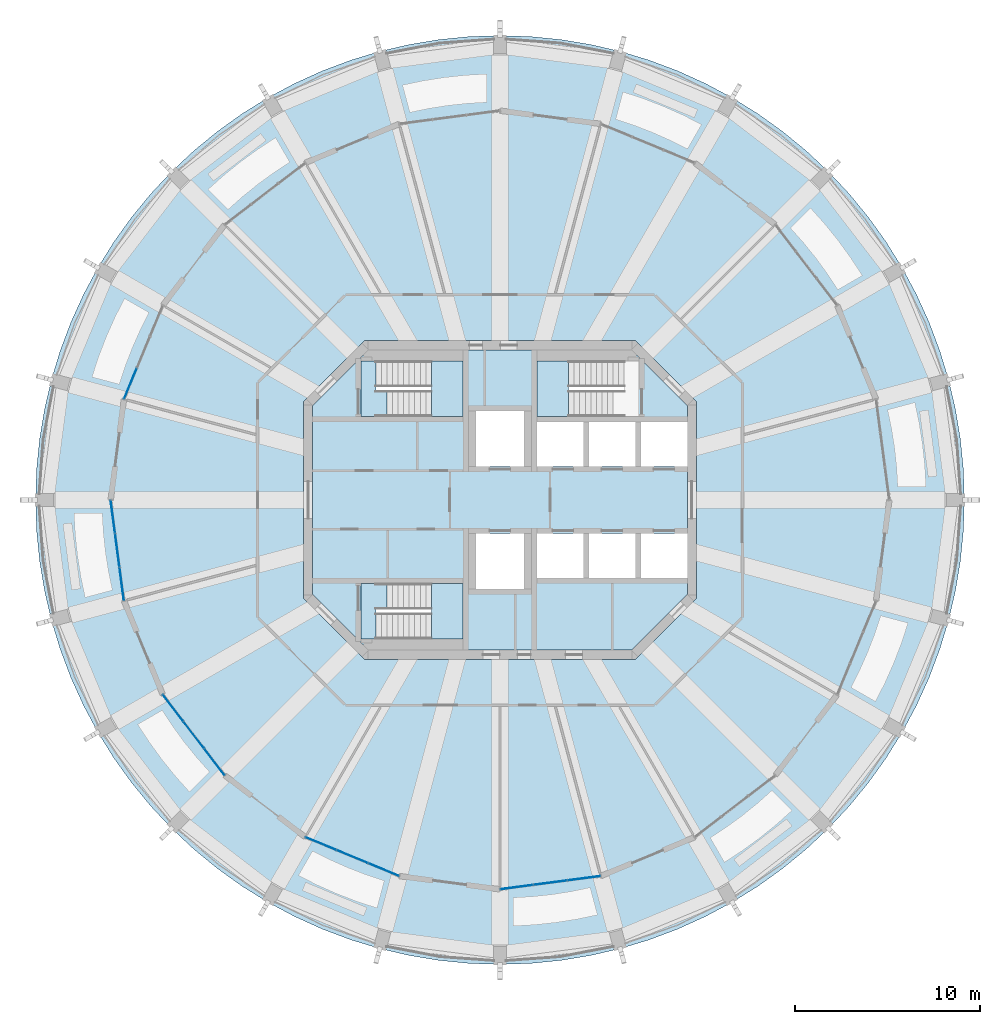
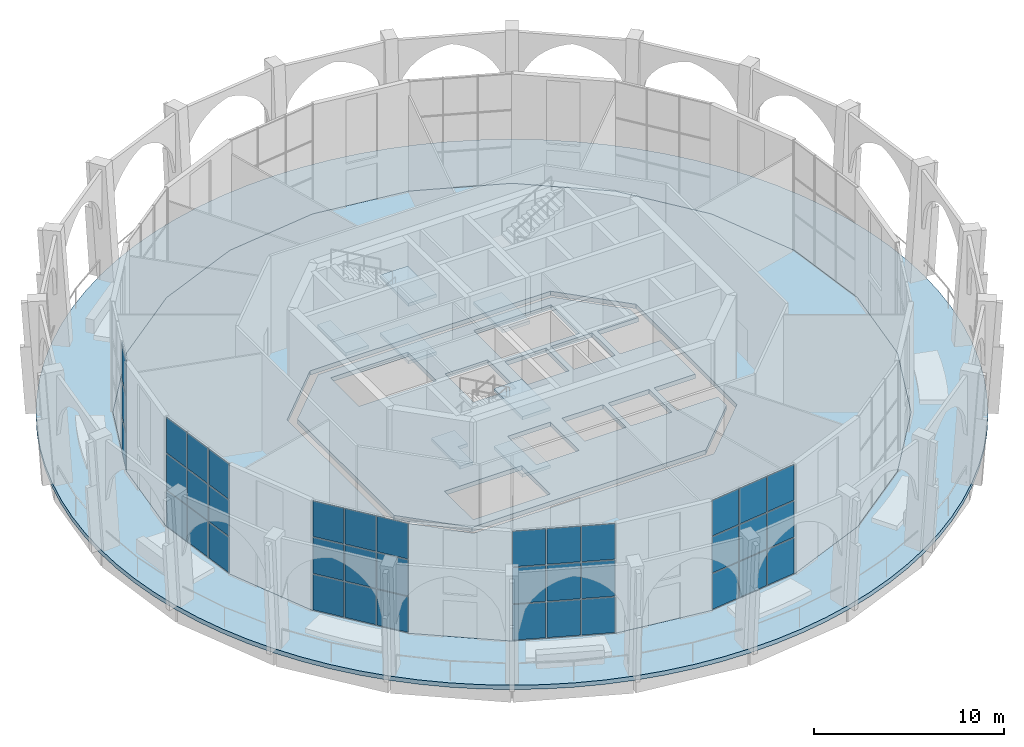
# One storey, part 8 of 17: 39 plates, 10 slabs, 8 elements without a shape of their own.
"""IFC4 building model written with IfcOpenShell, lengths in metres."""

import ifcopenshell
import ifcopenshell.guid

model = None  # the IFC model being written
_history = None  # IfcOwnerHistory: only IFC2X3 demands one
_inside = {}  # id of a spatial element -> (the spatial element, [elements in it])
_under = {}  # id of a project, library or spatial element -> (it, [spatial elements below it])
_declared = {}  # id of a project -> (the project, [libraries it declares])
_typed = {}  # id of a type object -> (the type object, [elements of that type])
_made_of = {}  # id of a material, layer set ... -> (it, [elements and type objects made of it])


def new_model(schema):
    """Start an empty IFC model of exactly this schema.

    Asked for "IFC4X3", IfcOpenShell would pick the latest addendum, in which some entities
    have other attributes; the version numbers below select the first issue.
    IFC2X3 requires an IfcOwnerHistory on every rooted entity: one is made here for all.
    """
    global model, _history
    if schema == "IFC4X3":
        model = ifcopenshell.file(schema_version=(4, 3, 0, 0))
    else:
        model = ifcopenshell.file(schema=schema)
    _inside.clear()
    _under.clear()
    _declared.clear()
    _typed.clear()
    _made_of.clear()
    _history = None
    if model.schema == "IFC2X3":
        org = make("IfcOrganization", Name="unknown")
        user = make(
            "IfcPersonAndOrganization",
            ThePerson=make("IfcPerson", FamilyName="unknown"),
            TheOrganization=org,
        )
        app = make(
            "IfcApplication",
            ApplicationDeveloper=org,
            Version="unknown",
            ApplicationFullName="unknown",
            ApplicationIdentifier="unknown",
        )
        _history = make(
            "IfcOwnerHistory",
            OwningUser=user,
            OwningApplication=app,
            ChangeAction="ADDED",
            CreationDate=0,
        )
    return model


def make(cls, **values):
    """One entity of the class cls with the attributes given. An attribute that is None is left unset."""
    return model.create_entity(
        cls, **{name: value for name, value in values.items() if value is not None}
    )


def rooted(cls, **values):
    """An entity with a GlobalId (a new one), such as an element, a storey or a relation."""
    return make(cls, GlobalId=ifcopenshell.guid.new(), OwnerHistory=_history, **values)


def si_unit(unit_type, name, prefix=None):
    """IfcSIUnit, for example si_unit("LENGTHUNIT", "METRE", prefix="MILLI")."""
    return make("IfcSIUnit", UnitType=unit_type, Prefix=prefix, Name=name)


def assignment(units):
    """IfcUnitAssignment: the units of a project."""
    return None if units is None else make("IfcUnitAssignment", Units=units)


def point(xyz):
    """IfcCartesianPoint."""
    return None if xyz is None else make("IfcCartesianPoint", Coordinates=xyz)


def direction(xyz):
    """IfcDirection."""
    return None if xyz is None else make("IfcDirection", DirectionRatios=xyz)


def frame(location, z_axis=None, x_axis=None):
    """IfcAxis2Placement3D, a coordinate frame: its origin and axes. An axis left out is left unset."""
    return make(
        "IfcAxis2Placement3D",
        Location=point(location),
        Axis=direction(z_axis),
        RefDirection=direction(x_axis),
    )


def frame_2d(location, x_axis=None):
    """IfcAxis2Placement2D, a coordinate frame in the plane: its origin and x axis."""
    return make(
        "IfcAxis2Placement2D", Location=point(location), RefDirection=direction(x_axis)
    )


def origin():
    """The frame at (0, 0, 0) with its axes left unset."""
    return frame((0.0, 0.0, 0.0))


def origin_2d():
    """The frame at (0, 0) in the plane with its x axis left unset."""
    return frame_2d((0.0, 0.0))


def place(relative_to, where):
    """IfcLocalPlacement: puts the frame where relative to a parent placement (None: the world)."""
    return make(
        "IfcLocalPlacement", PlacementRelTo=relative_to, RelativePlacement=where
    )


def context(
    kind, dimensions, precision=None, world=None, true_north=None, identifier=None
):
    """IfcGeometricRepresentationContext, for example the 3D "Model" context."""
    return make(
        "IfcGeometricRepresentationContext",
        ContextIdentifier=identifier,
        ContextType=kind,
        CoordinateSpaceDimension=dimensions,
        Precision=precision,
        WorldCoordinateSystem=world,
        TrueNorth=true_north,
    )


def subcontext(parent, identifier, kind, view, scale=None):
    """IfcGeometricRepresentationSubContext, for example "Body" below "Model"."""
    return make(
        "IfcGeometricRepresentationSubContext",
        ContextIdentifier=identifier,
        ContextType=kind,
        ParentContext=parent,
        TargetScale=scale,
        TargetView=view,
    )


def project(units=None, contexts=None):
    """IfcProject with its units and contexts."""
    return rooted(
        "IfcProject",
        Name="project",
        RepresentationContexts=contexts,
        UnitsInContext=assignment(units),
    )


def spatial(cls, under=None, at=None, **own):
    """A site, building, storey or space (cls), placed at a placement, below another one or the project."""
    s = rooted(cls, ObjectPlacement=at, **own)
    if under is not None:
        _under.setdefault(under.id(), (under, []))[1].append(s)
    return s


def polyline(points):
    """IfcPolyline through the points."""
    return make("IfcPolyline", Points=[point(p) for p in points])


def profile(cls, at=None, kind="AREA", **sizes):
    """A parametric profile (cls). Its sizes go by their IFC names, for example OverallWidth=200.0."""
    return make(cls, ProfileType=kind, Position=at, **sizes)


def rectangle(**sizes):
    """IfcRectangleProfileDef."""
    return profile("IfcRectangleProfileDef", **sizes)


def outline(outer, holes=None, kind="AREA"):
    """IfcArbitraryClosedProfileDef: a profile drawn as a closed curve; with holes, ...WithVoids."""
    if holes is None:
        return make("IfcArbitraryClosedProfileDef", ProfileType=kind, OuterCurve=outer)
    return make(
        "IfcArbitraryProfileDefWithVoids",
        ProfileType=kind,
        OuterCurve=outer,
        InnerCurves=holes,
    )


def extrude(swept, where, along, depth):
    """IfcExtrudedAreaSolid: the profile swept, set in the frame where, extruded along a direction by depth."""
    return make(
        "IfcExtrudedAreaSolid",
        SweptArea=swept,
        Position=where,
        ExtrudedDirection=direction(along),
        Depth=depth,
    )


def shape(context_of_items, identifier, shape_type, items):
    """IfcShapeRepresentation: the items that make up one representation, for example the "Body"."""
    return make(
        "IfcShapeRepresentation",
        ContextOfItems=context_of_items,
        RepresentationIdentifier=identifier,
        RepresentationType=shape_type,
        Items=items,
    )


def material(Name=None, Category=None):
    """IfcMaterial."""
    return make("IfcMaterial", Name=Name, Category=Category)


def layer(
    of_material, thickness, ventilated=None, Name=None, Category=None, Priority=None
):
    """IfcMaterialLayer: one layer of a wall or slab, of a material (None: an air gap)."""
    return make(
        "IfcMaterialLayer",
        Material=of_material,
        LayerThickness=thickness,
        IsVentilated=ventilated,
        Name=Name,
        Category=Category,
        Priority=Priority,
    )


def layer_set(layers, Name=None):
    """IfcMaterialLayerSet."""
    return make("IfcMaterialLayerSet", MaterialLayers=layers, LayerSetName=Name)


def made_of(thing, what):
    """Note that an element or type object is made of a material, layer set ...; save() writes the relation."""
    if what is not None:
        _made_of.setdefault(what.id(), (what, []))[1].append(thing)
    return thing


def type_object(cls, material=None, **own):
    """A type object (cls), such as IfcWallType, which elements share."""
    return made_of(rooted(cls, **own), material)


def element(
    cls,
    number,
    at=None,
    inside=None,
    cuts=None,
    type_object=None,
    material=None,
    context=None,
    identifier="Body",
    shape_type=None,
    held_by="IfcProductDefinitionShape",
    body=None,
    shapes=None,
    **own,
):
    """One element of the class cls, such as IfcWall. Its Tag is "e" and its number.

    at: its placement. inside: the storey or other place that contains it. cuts: it is an
    opening in that element (IfcRelVoidsElement). A single representation is given by context,
    identifier, shape_type and body (its items); several are given by shapes. held_by: the class
    of the entity that holds the representations. save() writes the other relations.
    """
    e = rooted(cls, Tag="e%d" % number, ObjectPlacement=at, **own)
    if body is not None:
        shapes = [shape(context, identifier, shape_type, body)]
    if shapes is not None:
        e.Representation = make(held_by, Representations=shapes)
    if inside is not None:
        _inside.setdefault(inside.id(), (inside, []))[1].append(e)
    if cuts is not None:
        rooted(
            "IfcRelVoidsElement", RelatingBuildingElement=cuts, RelatedOpeningElement=e
        )
    if type_object is not None:
        _typed.setdefault(type_object.id(), (type_object, []))[1].append(e)
    return made_of(e, material)


def aggregate(whole, parts):
    """IfcRelAggregates: a whole, such as a stair, and the parts it consists of."""
    return rooted("IfcRelAggregates", RelatingObject=whole, RelatedObjects=parts)


def save(model, path):
    """Write the relations noted so far, then the file.

    IfcRelAggregates (storeys below a building ...), IfcRelContainedInSpatialStructure (elements
    in a storey), IfcRelDefinesByType, IfcRelAssociatesMaterial and IfcRelDeclares: one each for
    every whole, place, type object, material and project.
    """
    for whole, parts in _under.values():
        aggregate(whole, parts)
    for where, things in _inside.values():
        rooted(
            "IfcRelContainedInSpatialStructure",
            RelatedElements=things,
            RelatingStructure=where,
        )
    for kind, things in _typed.values():
        rooted("IfcRelDefinesByType", RelatedObjects=things, RelatingType=kind)
    for what, things in _made_of.values():
        rooted("IfcRelAssociatesMaterial", RelatedObjects=things, RelatingMaterial=what)
    for by, libraries in _declared.values():
        rooted("IfcRelDeclares", RelatingContext=by, RelatedDefinitions=libraries)
    model.write(path)


model = new_model("IFC4")

# Units and contexts
model_context = context("Model", 3, precision=1e-05, world=origin(), true_north=direction((0.0, 1.0)))
body_context = subcontext(model_context, "Body", "Model", "MODEL_VIEW")
ifc_project = project(units=[si_unit("LENGTHUNIT", "METRE"), si_unit("AREAUNIT", "SQUARE_METRE"), si_unit("VOLUMEUNIT", "CUBIC_METRE"), si_unit("PLANEANGLEUNIT", "RADIAN"), si_unit("MASSUNIT", "GRAM", prefix="KILO")], contexts=[model_context])

# Site, building, storey
site_placement = place(None, origin())
site = spatial("IfcSite", under=ifc_project, at=site_placement, CompositionType="ELEMENT")
building_placement = place(site_placement, origin())
building = spatial("IfcBuilding", under=site, at=building_placement, Name="Torre Triforio", CompositionType="ELEMENT")
storey_placement = place(building_placement, frame((0.0, 0.0, 276.0)))
storey = spatial("IfcBuildingStorey", under=building, at=storey_placement, Name="L64", CompositionType="ELEMENT", Elevation=276.0)

# Slab
ifc_material_1 = material(Name="Concrete C40", Category="concrete")
ifc_layer_1 = layer(ifc_material_1, 0.280029296875)
ifc_layer_set_1 = layer_set([ifc_layer_1], Name="Concrete C40")
slab_type_1 = type_object("IfcSlabType", Name="Core floor slab 280 mm C40 REI 120", PredefinedType="FLOOR", material=ifc_layer_set_1)
slab_1_placement = place(storey_placement, frame((0.0, 0.0, -0.280029296875)))
element("IfcSlab", 1, at=slab_1_placement, inside=storey, type_object=slab_type_1, Name="Core floor slab", PredefinedType="FLOOR", context=body_context, shape_type="SweptSolid", body=[
    extrude(outline(polyline([(10.10009765625, -5.10009765625), (7.10009765625, -8.10009765625), (-7.10009765625, -8.10009765625), (-10.10009765625, -5.10009765625), (-10.10009765625, 5.10009765625), (-7.10009765625, 8.10009765625), (7.10009765625, 8.10009765625), (10.10009765625, 5.10009765625), (10.10009765625, 4.199951171875), (7.60009765625, 4.199951171875), (7.60009765625, 1.800048828125), (10.10009765625, 1.800048828125), (10.10009765625, -1.800048828125), (7.60009765625, -1.800048828125), (7.60009765625, -4.199951171875), (10.10009765625, -4.199951171875), (10.10009765625, -5.10009765625)]), holes=[polyline([(-6.696044921875, -4.5), (-6.696044921875, -7.5), (-2.0, -7.5), (-2.0, -4.5), (-6.696044921875, -4.5)]), polyline([(-1.300048828125, -1.800048828125), (-1.300048828125, -4.800048828125), (1.300048828125, -4.800048828125), (1.300048828125, -1.800048828125), (-1.300048828125, -1.800048828125)]), polyline([(2.0, -1.800048828125), (2.0, -4.199951171875), (4.5, -4.199951171875), (4.5, -1.800048828125), (2.0, -1.800048828125)]), polyline([(4.5, 4.199951171875), (2.0, 4.199951171875), (2.0, 1.800048828125), (4.5, 1.800048828125), (4.5, 4.199951171875)]), polyline([(1.300048828125, 4.800048828125), (-1.300048828125, 4.800048828125), (-1.300048828125, 1.800048828125), (1.300048828125, 1.800048828125), (1.300048828125, 4.800048828125)]), polyline([(-6.696044921875, 7.5), (-6.696044921875, 4.5), (-2.0, 4.5), (-2.0, 7.5), (-6.696044921875, 7.5)]), polyline([(7.300048828125, -1.800048828125), (4.800048828125, -1.800048828125), (4.800048828125, -4.199951171875), (7.300048828125, -4.199951171875), (7.300048828125, -1.800048828125)]), polyline([(4.800048828125, 4.199951171875), (4.800048828125, 1.800048828125), (7.300048828125, 1.800048828125), (7.300048828125, 4.199951171875), (4.800048828125, 4.199951171875)]), polyline([(6.696044921875, 7.5), (2.0, 7.5), (2.0, 4.5), (6.696044921875, 4.5), (6.696044921875, 7.5)])]), origin(), (0.0, 0.0, 1.0), 0.280029296875),
])

# Curtain wall, plates
ifc_material_2 = material(Name="Aluminium mullion and transom frame with clear laminated glass", Category="aluminium")
curtain_wall_type = type_object("IfcCurtainWallType", Name="Sky garden conservatory wall ECW3", PredefinedType="NOTDEFINED", material=ifc_material_2)
curtain_wall_1_placement = place(storey_placement, origin())
curtain_wall_1 = element("IfcCurtainWall", 2, at=curtain_wall_1_placement, inside=storey, type_object=curtain_wall_type, Name="Conservatory wall L64 bay 11", PredefinedType="NOTDEFINED")
ifc_material_3 = material(Name="Clear laminated glass", Category="glass")
ifc_layer_2 = layer(ifc_material_3, 0.028076171875)
ifc_layer_set_2 = layer_set([ifc_layer_2], Name="Clear laminated glass")
plate_type = type_object("IfcPlateType", Name="ECW3 glass panel 28", PredefinedType="CURTAIN_PANEL", material=ifc_layer_set_2)
plate_1_placement = place(storey_placement, frame((-19.936767578125, 6.274658203125, 0.06005859375), z_axis=(0.0, 0.0, 1.0), x_axis=(-0.382674764107, -0.923883122974, 0.0)))
plate_1 = element("IfcPlate", 3, at=plate_1_placement, type_object=plate_type, Name="ECW3 panel 3.1", PredefinedType="CURTAIN_PANEL", context=body_context, shape_type="SweptSolid", body=[
    extrude(rectangle(XDim=1.75732421875, YDim=0.028076171875, at=origin_2d()), origin(), (0.0, 0.0, 1.0), 2.283203125),
])
plate_2_placement = place(storey_placement, frame((-19.936767578125, 6.274658203125, 2.4033203125), z_axis=(0.0, 0.0, 1.0), x_axis=(-0.382674764107, -0.923883122974, 0.0)))
plate_2 = element("IfcPlate", 4, at=plate_2_placement, type_object=plate_type, Name="ECW3 panel 3.2", PredefinedType="CURTAIN_PANEL", context=body_context, shape_type="SweptSolid", body=[
    extrude(rectangle(XDim=1.75732421875, YDim=0.028076171875, at=origin_2d()), origin(), (0.0, 0.0, 1.0), 2.3134765625),
])
plate_3_placement = place(storey_placement, frame((-19.936767578125, 6.274658203125, 4.77685546875), z_axis=(0.0, 0.0, 1.0), x_axis=(-0.382674764107, -0.923883122974, 0.0)))
plate_3 = element("IfcPlate", 5, at=plate_3_placement, type_object=plate_type, Name="ECW3 panel 3.3", PredefinedType="CURTAIN_PANEL", context=body_context, shape_type="SweptSolid", body=[
    extrude(rectangle(XDim=1.75732421875, YDim=0.028076171875, at=origin_2d()), origin(), (0.0, 0.0, 1.0), 2.283203125),
])
aggregate(curtain_wall_1, [plate_1, plate_2, plate_3])

curtain_wall_2_placement = place(storey_placement, origin())
curtain_wall_2 = element("IfcCurtainWall", 6, at=curtain_wall_2_placement, inside=storey, type_object=curtain_wall_type, Name="Conservatory wall L64 bay 13", PredefinedType="NOTDEFINED")
plate_4_placement = place(storey_placement, frame((-20.88134765625, -0.90087890625, 0.06005859375), z_axis=(0.0, 0.0, 1.0), x_axis=(0.130530127386, -0.991444343291, 0.0)))
plate_4 = element("IfcPlate", 7, at=plate_4_placement, type_object=plate_type, Name="ECW3 panel 1.1", PredefinedType="CURTAIN_PANEL", context=body_context, shape_type="SweptSolid", body=[
    extrude(rectangle(XDim=1.75732421875, YDim=0.028076171875, at=origin_2d()), origin(), (0.0, 0.0, 1.0), 2.283203125),
])
plate_5_placement = place(storey_placement, frame((-20.88134765625, -0.90087890625, 2.4033203125), z_axis=(0.0, 0.0, 1.0), x_axis=(0.130530127386, -0.991444343291, 0.0)))
plate_5 = element("IfcPlate", 8, at=plate_5_placement, type_object=plate_type, Name="ECW3 panel 1.2", PredefinedType="CURTAIN_PANEL", context=body_context, shape_type="SweptSolid", body=[
    extrude(rectangle(XDim=1.75732421875, YDim=0.028076171875, at=origin_2d()), origin(), (0.0, 0.0, 1.0), 2.3134765625),
])
plate_6_placement = place(storey_placement, frame((-20.88134765625, -0.90087890625, 4.77685546875), z_axis=(0.0, 0.0, 1.0), x_axis=(0.130530127386, -0.991444343291, 0.0)))
plate_6 = element("IfcPlate", 9, at=plate_6_placement, type_object=plate_type, Name="ECW3 panel 1.3", PredefinedType="CURTAIN_PANEL", context=body_context, shape_type="SweptSolid", body=[
    extrude(rectangle(XDim=1.75732421875, YDim=0.028076171875, at=origin_2d()), origin(), (0.0, 0.0, 1.0), 2.283203125),
])
plate_7_placement = place(storey_placement, frame((-20.64208984375, -2.717529296875, 0.06005859375), z_axis=(0.0, 0.0, 1.0), x_axis=(0.130530127386, -0.991444343291, 0.0)))
plate_7 = element("IfcPlate", 10, at=plate_7_placement, type_object=plate_type, Name="ECW3 panel 2.1", PredefinedType="CURTAIN_PANEL", context=body_context, shape_type="SweptSolid", body=[
    extrude(rectangle(XDim=1.787353515625, YDim=0.028076171875, at=origin_2d()), origin(), (0.0, 0.0, 1.0), 2.283203125),
])
plate_8_placement = place(storey_placement, frame((-20.64208984375, -2.717529296875, 2.4033203125), z_axis=(0.0, 0.0, 1.0), x_axis=(0.130530127386, -0.991444343291, 0.0)))
plate_8 = element("IfcPlate", 11, at=plate_8_placement, type_object=plate_type, Name="ECW3 panel 2.2", PredefinedType="CURTAIN_PANEL", context=body_context, shape_type="SweptSolid", body=[
    extrude(rectangle(XDim=1.787353515625, YDim=0.028076171875, at=origin_2d()), origin(), (0.0, 0.0, 1.0), 2.3134765625),
])
plate_9_placement = place(storey_placement, frame((-20.64208984375, -2.717529296875, 4.77685546875), z_axis=(0.0, 0.0, 1.0), x_axis=(0.130530127386, -0.991444343291, 0.0)))
plate_9 = element("IfcPlate", 12, at=plate_9_placement, type_object=plate_type, Name="ECW3 panel 2.3", PredefinedType="CURTAIN_PANEL", context=body_context, shape_type="SweptSolid", body=[
    extrude(rectangle(XDim=1.787353515625, YDim=0.028076171875, at=origin_2d()), origin(), (0.0, 0.0, 1.0), 2.283203125),
])
plate_10_placement = place(storey_placement, frame((-20.403076171875, -4.5341796875, 0.06005859375), z_axis=(0.0, 0.0, 1.0), x_axis=(0.130530127386, -0.991444343291, 0.0)))
plate_10 = element("IfcPlate", 13, at=plate_10_placement, type_object=plate_type, Name="ECW3 panel 3.1", PredefinedType="CURTAIN_PANEL", context=body_context, shape_type="SweptSolid", body=[
    extrude(rectangle(XDim=1.75732421875, YDim=0.028076171875, at=origin_2d()), origin(), (0.0, 0.0, 1.0), 2.283203125),
])
plate_11_placement = place(storey_placement, frame((-20.403076171875, -4.5341796875, 2.4033203125), z_axis=(0.0, 0.0, 1.0), x_axis=(0.130530127386, -0.991444343291, 0.0)))
plate_11 = element("IfcPlate", 14, at=plate_11_placement, type_object=plate_type, Name="ECW3 panel 3.2", PredefinedType="CURTAIN_PANEL", context=body_context, shape_type="SweptSolid", body=[
    extrude(rectangle(XDim=1.75732421875, YDim=0.028076171875, at=origin_2d()), origin(), (0.0, 0.0, 1.0), 2.3134765625),
])
plate_12_placement = place(storey_placement, frame((-20.403076171875, -4.5341796875, 4.77685546875), z_axis=(0.0, 0.0, 1.0), x_axis=(0.130530127386, -0.991444343291, 0.0)))
plate_12 = element("IfcPlate", 15, at=plate_12_placement, type_object=plate_type, Name="ECW3 panel 3.3", PredefinedType="CURTAIN_PANEL", context=body_context, shape_type="SweptSolid", body=[
    extrude(rectangle(XDim=1.75732421875, YDim=0.028076171875, at=origin_2d()), origin(), (0.0, 0.0, 1.0), 2.283203125),
])
aggregate(curtain_wall_2, [plate_4, plate_5, plate_6, plate_7, plate_8, plate_9, plate_10, plate_11, plate_12])

curtain_wall_3_placement = place(storey_placement, origin())
curtain_wall_3 = element("IfcCurtainWall", 16, at=curtain_wall_3_placement, inside=storey, type_object=curtain_wall_type, Name="Conservatory wall L64 bay 15", PredefinedType="NOTDEFINED")
plate_13_placement = place(storey_placement, frame((-17.63330078125, -11.220947265625, 0.06005859375), z_axis=(0.0, 0.0, 1.0), x_axis=(0.608763325538, -0.793351885029, 0.0)))
plate_13 = element("IfcPlate", 17, at=plate_13_placement, type_object=plate_type, Name="ECW3 panel 1.1", PredefinedType="CURTAIN_PANEL", context=body_context, shape_type="SweptSolid", body=[
    extrude(rectangle(XDim=1.75732421875, YDim=0.028076171875, at=origin_2d()), origin(), (0.0, 0.0, 1.0), 2.283203125),
])
plate_14_placement = place(storey_placement, frame((-17.63330078125, -11.220947265625, 2.4033203125), z_axis=(0.0, 0.0, 1.0), x_axis=(0.608763325538, -0.793351885029, 0.0)))
plate_14 = element("IfcPlate", 18, at=plate_14_placement, type_object=plate_type, Name="ECW3 panel 1.2", PredefinedType="CURTAIN_PANEL", context=body_context, shape_type="SweptSolid", body=[
    extrude(rectangle(XDim=1.75732421875, YDim=0.028076171875, at=origin_2d()), origin(), (0.0, 0.0, 1.0), 2.3134765625),
])
plate_15_placement = place(storey_placement, frame((-17.63330078125, -11.220947265625, 4.77685546875), z_axis=(0.0, 0.0, 1.0), x_axis=(0.608763325538, -0.793351885029, 0.0)))
plate_15 = element("IfcPlate", 19, at=plate_15_placement, type_object=plate_type, Name="ECW3 panel 1.3", PredefinedType="CURTAIN_PANEL", context=body_context, shape_type="SweptSolid", body=[
    extrude(rectangle(XDim=1.75732421875, YDim=0.028076171875, at=origin_2d()), origin(), (0.0, 0.0, 1.0), 2.283203125),
])
plate_16_placement = place(storey_placement, frame((-16.517822265625, -12.674560546875, 0.06005859375), z_axis=(0.0, 0.0, 1.0), x_axis=(0.608763325538, -0.793351885029, 0.0)))
plate_16 = element("IfcPlate", 20, at=plate_16_placement, type_object=plate_type, Name="ECW3 panel 2.1", PredefinedType="CURTAIN_PANEL", context=body_context, shape_type="SweptSolid", body=[
    extrude(rectangle(XDim=1.787353515625, YDim=0.028076171875, at=origin_2d()), origin(), (0.0, 0.0, 1.0), 2.283203125),
])
plate_17_placement = place(storey_placement, frame((-16.517822265625, -12.674560546875, 2.4033203125), z_axis=(0.0, 0.0, 1.0), x_axis=(0.608763325538, -0.793351885029, 0.0)))
plate_17 = element("IfcPlate", 21, at=plate_17_placement, type_object=plate_type, Name="ECW3 panel 2.2", PredefinedType="CURTAIN_PANEL", context=body_context, shape_type="SweptSolid", body=[
    extrude(rectangle(XDim=1.787353515625, YDim=0.028076171875, at=origin_2d()), origin(), (0.0, 0.0, 1.0), 2.3134765625),
])
plate_18_placement = place(storey_placement, frame((-16.517822265625, -12.674560546875, 4.77685546875), z_axis=(0.0, 0.0, 1.0), x_axis=(0.608763325538, -0.793351885029, 0.0)))
plate_18 = element("IfcPlate", 22, at=plate_18_placement, type_object=plate_type, Name="ECW3 panel 2.3", PredefinedType="CURTAIN_PANEL", context=body_context, shape_type="SweptSolid", body=[
    extrude(rectangle(XDim=1.787353515625, YDim=0.028076171875, at=origin_2d()), origin(), (0.0, 0.0, 1.0), 2.283203125),
])
plate_19_placement = place(storey_placement, frame((-15.40234375, -14.12841796875, 0.06005859375), z_axis=(0.0, 0.0, 1.0), x_axis=(0.608763325538, -0.793351885029, 0.0)))
plate_19 = element("IfcPlate", 23, at=plate_19_placement, type_object=plate_type, Name="ECW3 panel 3.1", PredefinedType="CURTAIN_PANEL", context=body_context, shape_type="SweptSolid", body=[
    extrude(rectangle(XDim=1.75732421875, YDim=0.028076171875, at=origin_2d()), origin(), (0.0, 0.0, 1.0), 2.283203125),
])
plate_20_placement = place(storey_placement, frame((-15.40234375, -14.12841796875, 2.4033203125), z_axis=(0.0, 0.0, 1.0), x_axis=(0.608763325538, -0.793351885029, 0.0)))
plate_20 = element("IfcPlate", 24, at=plate_20_placement, type_object=plate_type, Name="ECW3 panel 3.2", PredefinedType="CURTAIN_PANEL", context=body_context, shape_type="SweptSolid", body=[
    extrude(rectangle(XDim=1.75732421875, YDim=0.028076171875, at=origin_2d()), origin(), (0.0, 0.0, 1.0), 2.3134765625),
])
plate_21_placement = place(storey_placement, frame((-15.40234375, -14.12841796875, 4.77685546875), z_axis=(0.0, 0.0, 1.0), x_axis=(0.608763325538, -0.793351885029, 0.0)))
plate_21 = element("IfcPlate", 25, at=plate_21_placement, type_object=plate_type, Name="ECW3 panel 3.3", PredefinedType="CURTAIN_PANEL", context=body_context, shape_type="SweptSolid", body=[
    extrude(rectangle(XDim=1.75732421875, YDim=0.028076171875, at=origin_2d()), origin(), (0.0, 0.0, 1.0), 2.283203125),
])
aggregate(curtain_wall_3, [plate_13, plate_14, plate_15, plate_16, plate_17, plate_18, plate_19, plate_20, plate_21])

curtain_wall_4_placement = place(storey_placement, origin())
curtain_wall_4 = element("IfcCurtainWall", 26, at=curtain_wall_4_placement, inside=storey, type_object=curtain_wall_type, Name="Conservatory wall L64 bay 17", PredefinedType="NOTDEFINED")
plate_22_placement = place(storey_placement, frame((-9.660400390625, -18.534423828125, 0.06005859375), z_axis=(0.0, 0.0, 1.0), x_axis=(0.923883122974, -0.382674764107, 0.0)))
plate_22 = element("IfcPlate", 27, at=plate_22_placement, type_object=plate_type, Name="ECW3 panel 1.1", PredefinedType="CURTAIN_PANEL", context=body_context, shape_type="SweptSolid", body=[
    extrude(rectangle(XDim=1.75732421875, YDim=0.028076171875, at=origin_2d()), origin(), (0.0, 0.0, 1.0), 2.283203125),
])
plate_23_placement = place(storey_placement, frame((-9.660400390625, -18.534423828125, 2.4033203125), z_axis=(0.0, 0.0, 1.0), x_axis=(0.923883122974, -0.382674764107, 0.0)))
plate_23 = element("IfcPlate", 28, at=plate_23_placement, type_object=plate_type, Name="ECW3 panel 1.2", PredefinedType="CURTAIN_PANEL", context=body_context, shape_type="SweptSolid", body=[
    extrude(rectangle(XDim=1.75732421875, YDim=0.028076171875, at=origin_2d()), origin(), (0.0, 0.0, 1.0), 2.3134765625),
])
plate_24_placement = place(storey_placement, frame((-9.660400390625, -18.534423828125, 4.77685546875), z_axis=(0.0, 0.0, 1.0), x_axis=(0.923883122974, -0.382674764107, 0.0)))
plate_24 = element("IfcPlate", 29, at=plate_24_placement, type_object=plate_type, Name="ECW3 panel 1.3", PredefinedType="CURTAIN_PANEL", context=body_context, shape_type="SweptSolid", body=[
    extrude(rectangle(XDim=1.75732421875, YDim=0.028076171875, at=origin_2d()), origin(), (0.0, 0.0, 1.0), 2.283203125),
])
plate_25_placement = place(storey_placement, frame((-7.967529296875, -19.235595703125, 0.06005859375), z_axis=(0.0, 0.0, 1.0), x_axis=(0.923883122974, -0.382674764107, 0.0)))
plate_25 = element("IfcPlate", 30, at=plate_25_placement, type_object=plate_type, Name="ECW3 panel 2.1", PredefinedType="CURTAIN_PANEL", context=body_context, shape_type="SweptSolid", body=[
    extrude(rectangle(XDim=1.787353515625, YDim=0.028076171875, at=origin_2d()), origin(), (0.0, 0.0, 1.0), 2.283203125),
])
plate_26_placement = place(storey_placement, frame((-7.967529296875, -19.235595703125, 2.4033203125), z_axis=(0.0, 0.0, 1.0), x_axis=(0.923883122974, -0.382674764107, 0.0)))
plate_26 = element("IfcPlate", 31, at=plate_26_placement, type_object=plate_type, Name="ECW3 panel 2.2", PredefinedType="CURTAIN_PANEL", context=body_context, shape_type="SweptSolid", body=[
    extrude(rectangle(XDim=1.787353515625, YDim=0.028076171875, at=origin_2d()), origin(), (0.0, 0.0, 1.0), 2.3134765625),
])
plate_27_placement = place(storey_placement, frame((-7.967529296875, -19.235595703125, 4.77685546875), z_axis=(0.0, 0.0, 1.0), x_axis=(0.923883122974, -0.382674764107, 0.0)))
plate_27 = element("IfcPlate", 32, at=plate_27_placement, type_object=plate_type, Name="ECW3 panel 2.3", PredefinedType="CURTAIN_PANEL", context=body_context, shape_type="SweptSolid", body=[
    extrude(rectangle(XDim=1.787353515625, YDim=0.028076171875, at=origin_2d()), origin(), (0.0, 0.0, 1.0), 2.283203125),
])
plate_28_placement = place(storey_placement, frame((-6.274658203125, -19.936767578125, 0.06005859375), z_axis=(0.0, 0.0, 1.0), x_axis=(0.923883122974, -0.382674764107, 0.0)))
plate_28 = element("IfcPlate", 33, at=plate_28_placement, type_object=plate_type, Name="ECW3 panel 3.1", PredefinedType="CURTAIN_PANEL", context=body_context, shape_type="SweptSolid", body=[
    extrude(rectangle(XDim=1.75732421875, YDim=0.028076171875, at=origin_2d()), origin(), (0.0, 0.0, 1.0), 2.283203125),
])
plate_29_placement = place(storey_placement, frame((-6.274658203125, -19.936767578125, 2.4033203125), z_axis=(0.0, 0.0, 1.0), x_axis=(0.923883122974, -0.382674764107, 0.0)))
plate_29 = element("IfcPlate", 34, at=plate_29_placement, type_object=plate_type, Name="ECW3 panel 3.2", PredefinedType="CURTAIN_PANEL", context=body_context, shape_type="SweptSolid", body=[
    extrude(rectangle(XDim=1.75732421875, YDim=0.028076171875, at=origin_2d()), origin(), (0.0, 0.0, 1.0), 2.3134765625),
])
plate_30_placement = place(storey_placement, frame((-6.274658203125, -19.936767578125, 4.77685546875), z_axis=(0.0, 0.0, 1.0), x_axis=(0.923883122974, -0.382674764107, 0.0)))
plate_30 = element("IfcPlate", 35, at=plate_30_placement, type_object=plate_type, Name="ECW3 panel 3.3", PredefinedType="CURTAIN_PANEL", context=body_context, shape_type="SweptSolid", body=[
    extrude(rectangle(XDim=1.75732421875, YDim=0.028076171875, at=origin_2d()), origin(), (0.0, 0.0, 1.0), 2.283203125),
])
aggregate(curtain_wall_4, [plate_22, plate_23, plate_24, plate_25, plate_26, plate_27, plate_28, plate_29, plate_30])

curtain_wall_5_placement = place(storey_placement, origin())
curtain_wall_5 = element("IfcCurtainWall", 36, at=curtain_wall_5_placement, inside=storey, type_object=curtain_wall_type, Name="Conservatory wall L64 bay 19", PredefinedType="NOTDEFINED")
plate_31_placement = place(storey_placement, frame((0.90087890625, -20.88134765625, 0.06005859375), z_axis=(0.0, 0.0, 1.0), x_axis=(0.991444343291, 0.130530127386, 0.0)))
plate_31 = element("IfcPlate", 37, at=plate_31_placement, type_object=plate_type, Name="ECW3 panel 1.1", PredefinedType="CURTAIN_PANEL", context=body_context, shape_type="SweptSolid", body=[
    extrude(rectangle(XDim=1.75732421875, YDim=0.028076171875, at=origin_2d()), origin(), (0.0, 0.0, 1.0), 2.283203125),
])
plate_32_placement = place(storey_placement, frame((0.90087890625, -20.88134765625, 2.4033203125), z_axis=(0.0, 0.0, 1.0), x_axis=(0.991444343291, 0.130530127386, 0.0)))
plate_32 = element("IfcPlate", 38, at=plate_32_placement, type_object=plate_type, Name="ECW3 panel 1.2", PredefinedType="CURTAIN_PANEL", context=body_context, shape_type="SweptSolid", body=[
    extrude(rectangle(XDim=1.75732421875, YDim=0.028076171875, at=origin_2d()), origin(), (0.0, 0.0, 1.0), 2.3134765625),
])
plate_33_placement = place(storey_placement, frame((0.90087890625, -20.88134765625, 4.77685546875), z_axis=(0.0, 0.0, 1.0), x_axis=(0.991444343291, 0.130530127386, 0.0)))
plate_33 = element("IfcPlate", 39, at=plate_33_placement, type_object=plate_type, Name="ECW3 panel 1.3", PredefinedType="CURTAIN_PANEL", context=body_context, shape_type="SweptSolid", body=[
    extrude(rectangle(XDim=1.75732421875, YDim=0.028076171875, at=origin_2d()), origin(), (0.0, 0.0, 1.0), 2.283203125),
])
plate_34_placement = place(storey_placement, frame((2.717529296875, -20.64208984375, 0.06005859375), z_axis=(0.0, 0.0, 1.0), x_axis=(0.991444343291, 0.130530127386, 0.0)))
plate_34 = element("IfcPlate", 40, at=plate_34_placement, type_object=plate_type, Name="ECW3 panel 2.1", PredefinedType="CURTAIN_PANEL", context=body_context, shape_type="SweptSolid", body=[
    extrude(rectangle(XDim=1.787353515625, YDim=0.028076171875, at=origin_2d()), origin(), (0.0, 0.0, 1.0), 2.283203125),
])
plate_35_placement = place(storey_placement, frame((2.717529296875, -20.64208984375, 2.4033203125), z_axis=(0.0, 0.0, 1.0), x_axis=(0.991444343291, 0.130530127386, 0.0)))
plate_35 = element("IfcPlate", 41, at=plate_35_placement, type_object=plate_type, Name="ECW3 panel 2.2", PredefinedType="CURTAIN_PANEL", context=body_context, shape_type="SweptSolid", body=[
    extrude(rectangle(XDim=1.787353515625, YDim=0.028076171875, at=origin_2d()), origin(), (0.0, 0.0, 1.0), 2.3134765625),
])
plate_36_placement = place(storey_placement, frame((2.717529296875, -20.64208984375, 4.77685546875), z_axis=(0.0, 0.0, 1.0), x_axis=(0.991444343291, 0.130530127386, 0.0)))
plate_36 = element("IfcPlate", 42, at=plate_36_placement, type_object=plate_type, Name="ECW3 panel 2.3", PredefinedType="CURTAIN_PANEL", context=body_context, shape_type="SweptSolid", body=[
    extrude(rectangle(XDim=1.787353515625, YDim=0.028076171875, at=origin_2d()), origin(), (0.0, 0.0, 1.0), 2.283203125),
])
plate_37_placement = place(storey_placement, frame((4.5341796875, -20.403076171875, 0.06005859375), z_axis=(0.0, 0.0, 1.0), x_axis=(0.991444343291, 0.130530127386, 0.0)))
plate_37 = element("IfcPlate", 43, at=plate_37_placement, type_object=plate_type, Name="ECW3 panel 3.1", PredefinedType="CURTAIN_PANEL", context=body_context, shape_type="SweptSolid", body=[
    extrude(rectangle(XDim=1.75732421875, YDim=0.028076171875, at=origin_2d()), origin(), (0.0, 0.0, 1.0), 2.283203125),
])
plate_38_placement = place(storey_placement, frame((4.5341796875, -20.403076171875, 2.4033203125), z_axis=(0.0, 0.0, 1.0), x_axis=(0.991444343291, 0.130530127386, 0.0)))
plate_38 = element("IfcPlate", 44, at=plate_38_placement, type_object=plate_type, Name="ECW3 panel 3.2", PredefinedType="CURTAIN_PANEL", context=body_context, shape_type="SweptSolid", body=[
    extrude(rectangle(XDim=1.75732421875, YDim=0.028076171875, at=origin_2d()), origin(), (0.0, 0.0, 1.0), 2.3134765625),
])
plate_39_placement = place(storey_placement, frame((4.5341796875, -20.403076171875, 4.77685546875), z_axis=(0.0, 0.0, 1.0), x_axis=(0.991444343291, 0.130530127386, 0.0)))
plate_39 = element("IfcPlate", 45, at=plate_39_placement, type_object=plate_type, Name="ECW3 panel 3.3", PredefinedType="CURTAIN_PANEL", context=body_context, shape_type="SweptSolid", body=[
    extrude(rectangle(XDim=1.75732421875, YDim=0.028076171875, at=origin_2d()), origin(), (0.0, 0.0, 1.0), 2.283203125),
])
aggregate(curtain_wall_5, [plate_31, plate_32, plate_33, plate_34, plate_35, plate_36, plate_37, plate_38, plate_39])

# Slabs
ifc_layer_3 = layer(ifc_material_1, 0.280029296875)
ifc_layer_set_3 = layer_set([ifc_layer_3], Name="Concrete C40")
slab_type_2 = type_object("IfcSlabType", Name="Floor slab 280 C40", PredefinedType="FLOOR", material=ifc_layer_set_3)
slab_2_placement = place(storey_placement, frame((0.0, 0.0, -0.280029296875)))
element("IfcSlab", 46, at=slab_2_placement, inside=storey, type_object=slab_type_2, Name="SL.L64", PredefinedType="FLOOR", context=body_context, shape_type="SweptSolid", body=[
    extrude(outline(polyline([(18.1865234375, -10.5), (20.284423828125, -5.435302734375), (21.0, 0.0), (20.284423828125, 5.435302734375), (18.1865234375, 10.5), (14.84912109375, 14.84912109375), (10.5, 18.1865234375), (5.435302734375, 20.284423828125), (0.0, 21.0), (-5.435302734375, 20.284423828125), (-10.5, 18.1865234375), (-14.84912109375, 14.84912109375), (-18.1865234375, 10.5), (-20.284423828125, 5.435302734375), (-21.0, 0.0), (-20.284423828125, -5.435302734375), (-18.1865234375, -10.5), (-14.84912109375, -14.84912109375), (-10.5, -18.1865234375), (-5.435302734375, -20.284423828125), (0.0, -21.0), (5.435302734375, -20.284423828125), (10.5, -18.1865234375), (14.84912109375, -14.84912109375), (18.1865234375, -10.5)]), holes=[polyline([(10.60009765625, 5.30712890625), (10.60009765625, -5.30712890625), (7.30712890625, -8.60009765625), (-7.30712890625, -8.60009765625), (-10.60009765625, -5.30712890625), (-10.60009765625, 5.30712890625), (-7.30712890625, 8.60009765625), (7.30712890625, 8.60009765625), (10.60009765625, 5.30712890625)])]), origin(), (0.0, 0.0, 1.0), 0.280029296875),
])
ifc_layer_4 = layer(ifc_material_1, 0.280029296875)
ifc_layer_set_4 = layer_set([ifc_layer_4], Name="Concrete C40")
slab_type_3 = type_object("IfcSlabType", Name="Loggia slab 280 C40", PredefinedType="FLOOR", material=ifc_layer_set_4)
slab_3_placement = place(storey_placement, frame((0.0, 0.0, -0.280029296875)))
element("IfcSlab", 47, at=slab_3_placement, inside=storey, type_object=slab_type_3, Name="SL.L64.LG", PredefinedType="FLOOR", context=body_context, shape_type="SweptSolid", body=[
    extrude(outline(polyline([(24.996337890625, -1.638427734375), (25.050048828125, 0.0), (24.996337890625, 1.638427734375), (24.835693359375, 3.269775390625), (24.568603515625, 4.886962890625), (24.196533203125, 6.4833984375), (23.720703125, 8.052001953125), (23.14306640625, 9.586181640625), (22.466552734375, 11.079345703125), (21.69384765625, 12.52490234375), (20.828369140625, 13.9169921875), (19.87353515625, 15.24951171875), (18.83349609375, 16.5166015625), (17.713134765625, 17.713134765625), (16.5166015625, 18.83349609375), (15.24951171875, 19.87353515625), (13.9169921875, 20.828369140625), (12.52490234375, 21.69384765625), (11.079345703125, 22.466552734375), (9.586181640625, 23.14306640625), (8.052001953125, 23.720703125), (6.4833984375, 24.196533203125), (4.886962890625, 24.568603515625), (3.269775390625, 24.835693359375), (1.638427734375, 24.996337890625), (0.0, 25.050048828125), (-1.638427734375, 24.996337890625), (-3.269775390625, 24.835693359375), (-4.886962890625, 24.568603515625), (-6.4833984375, 24.196533203125), (-8.052001953125, 23.720703125), (-9.586181640625, 23.14306640625), (-11.079345703125, 22.466552734375), (-12.52490234375, 21.69384765625), (-13.9169921875, 20.828369140625), (-15.24951171875, 19.87353515625), (-16.5166015625, 18.83349609375), (-17.713134765625, 17.713134765625), (-18.83349609375, 16.5166015625), (-19.87353515625, 15.24951171875), (-20.828369140625, 13.9169921875), (-21.69384765625, 12.52490234375), (-22.466552734375, 11.079345703125), (-23.14306640625, 9.586181640625), (-23.720703125, 8.052001953125), (-24.196533203125, 6.4833984375), (-24.568603515625, 4.886962890625), (-24.835693359375, 3.269775390625), (-24.996337890625, 1.638427734375), (-25.050048828125, 0.0), (-24.996337890625, -1.638427734375), (-24.835693359375, -3.269775390625), (-24.568603515625, -4.886962890625), (-24.196533203125, -6.4833984375), (-23.720703125, -8.052001953125), (-23.14306640625, -9.586181640625), (-22.466552734375, -11.079345703125), (-21.69384765625, -12.52490234375), (-20.828369140625, -13.9169921875), (-19.87353515625, -15.24951171875), (-18.83349609375, -16.5166015625), (-17.713134765625, -17.713134765625), (-16.5166015625, -18.83349609375), (-15.24951171875, -19.87353515625), (-13.9169921875, -20.828369140625), (-12.52490234375, -21.69384765625), (-11.079345703125, -22.466552734375), (-9.586181640625, -23.14306640625), (-8.052001953125, -23.720703125), (-6.4833984375, -24.196533203125), (-4.886962890625, -24.568603515625), (-3.269775390625, -24.835693359375), (-1.638427734375, -24.996337890625), (0.0, -25.050048828125), (1.638427734375, -24.996337890625), (3.269775390625, -24.835693359375), (4.886962890625, -24.568603515625), (6.4833984375, -24.196533203125), (8.052001953125, -23.720703125), (9.586181640625, -23.14306640625), (11.079345703125, -22.466552734375), (12.52490234375, -21.69384765625), (13.9169921875, -20.828369140625), (15.24951171875, -19.87353515625), (16.5166015625, -18.83349609375), (17.713134765625, -17.713134765625), (18.83349609375, -16.5166015625), (19.87353515625, -15.24951171875), (20.828369140625, -13.9169921875), (21.69384765625, -12.52490234375), (22.466552734375, -11.079345703125), (23.14306640625, -9.586181640625), (23.720703125, -8.052001953125), (24.196533203125, -6.4833984375), (24.568603515625, -4.886962890625), (24.835693359375, -3.269775390625), (24.996337890625, -1.638427734375)]), holes=[polyline([(20.284423828125, 5.435302734375), (21.0, 0.0), (20.284423828125, -5.435302734375), (18.1865234375, -10.5), (14.84912109375, -14.84912109375), (10.5, -18.1865234375), (5.435302734375, -20.284423828125), (0.0, -21.0), (-5.435302734375, -20.284423828125), (-10.5, -18.1865234375), (-14.84912109375, -14.84912109375), (-18.1865234375, -10.5), (-20.284423828125, -5.435302734375), (-21.0, 0.0), (-20.284423828125, 5.435302734375), (-18.1865234375, 10.5), (-14.84912109375, 14.84912109375), (-10.5, 18.1865234375), (-5.435302734375, 20.284423828125), (0.0, 21.0), (5.435302734375, 20.284423828125), (10.5, 18.1865234375), (14.84912109375, 14.84912109375), (18.1865234375, 10.5), (20.284423828125, 5.435302734375)])]), origin(), (0.0, 0.0, 1.0), 0.280029296875),
])

# Stair, slabs
stair_type = type_object("IfcStairType", Name="STAIR DOUBLE RETURN", PredefinedType="DOUBLE_RETURN_STAIR", material=ifc_material_1)
stair_1_placement = place(storey_placement, origin())
stair_1 = element("IfcStair", 48, at=stair_1_placement, inside=storey, type_object=stair_type, Name="Exit stair 1", PredefinedType="DOUBLE_RETURN_STAIR")
ifc_layer_5 = layer(ifc_material_1, 0.199951171875)
ifc_layer_set_5 = layer_set([ifc_layer_5], Name="Concrete C40")
slab_type_4 = type_object("IfcSlabType", Name="STAIR LANDING 200", PredefinedType="LANDING", material=ifc_layer_set_5)
slab_4_placement = place(storey_placement, frame((0.0, 0.0, 1.64990234375)))
slab_4 = element("IfcSlab", 49, at=slab_4_placement, type_object=slab_type_4, Name="ST1 landing 1", PredefinedType="LANDING", context=body_context, shape_type="SweptSolid", body=[
    extrude(outline(polyline([(-2.0, 4.5), (-2.0, 7.5), (-3.699951171875, 7.5), (-3.699951171875, 4.5), (-2.0, 4.5)])), origin(), (0.0, 0.0, 1.0), 0.2001953125),
])
slab_5_placement = place(storey_placement, frame((0.0, 0.0, 3.5)))
slab_5 = element("IfcSlab", 50, at=slab_5_placement, type_object=slab_type_4, Name="ST1 landing 2", PredefinedType="LANDING", context=body_context, shape_type="SweptSolid", body=[
    extrude(outline(polyline([(-6.10009765625, 5.89990234375), (-6.10009765625, 4.5), (-6.696044921875, 4.5), (-6.699951171875, 4.5), (-7.5, 4.5), (-7.5, 7.5), (-6.696044921875, 7.5), (-6.696044921875, 5.89990234375), (-6.10009765625, 5.89990234375)])), origin(), (0.0, 0.0, 1.0), 0.199951171875),
])
slab_6_placement = place(storey_placement, frame((0.0, 0.0, 5.35009765625)))
slab_6 = element("IfcSlab", 51, at=slab_6_placement, type_object=slab_type_4, Name="ST1 landing 3", PredefinedType="LANDING", context=body_context, shape_type="SweptSolid", body=[
    extrude(outline(polyline([(-2.0, 4.5), (-2.0, 7.5), (-3.699951171875, 7.5), (-3.699951171875, 4.5), (-2.0, 4.5)])), origin(), (0.0, 0.0, 1.0), 0.199951171875),
])
aggregate(stair_1, [slab_4, slab_5, slab_6])

# Stair, slab
stair_2_placement = place(storey_placement, origin())
stair_2 = element("IfcStair", 52, at=stair_2_placement, inside=storey, type_object=stair_type, Name="Exit stair 2", PredefinedType="DOUBLE_RETURN_STAIR")
slab_7_placement = place(storey_placement, frame((0.0, 0.0, 1.64990234375)))
slab_7 = element("IfcSlab", 53, at=slab_7_placement, type_object=slab_type_4, Name="ST2 landing 1", PredefinedType="LANDING", context=body_context, shape_type="SweptSolid", body=[
    extrude(outline(polyline([(3.699951171875, 4.5), (3.699951171875, 7.5), (2.0, 7.5), (2.0, 4.5), (3.699951171875, 4.5)])), origin(), (0.0, 0.0, 1.0), 0.2001953125),
])
aggregate(stair_2, [slab_7])

# Stair, slabs
stair_3_placement = place(storey_placement, origin())
stair_3 = element("IfcStair", 54, at=stair_3_placement, inside=storey, type_object=stair_type, Name="Exit stair 3", PredefinedType="DOUBLE_RETURN_STAIR")
slab_8_placement = place(storey_placement, frame((0.0, 0.0, 1.64990234375)))
slab_8 = element("IfcSlab", 55, at=slab_8_placement, type_object=slab_type_4, Name="ST3 landing 1", PredefinedType="LANDING", context=body_context, shape_type="SweptSolid", body=[
    extrude(outline(polyline([(-2.0, -7.5), (-2.0, -4.5), (-3.699951171875, -4.5), (-3.699951171875, -7.5), (-2.0, -7.5)])), origin(), (0.0, 0.0, 1.0), 0.2001953125),
])
slab_9_placement = place(storey_placement, frame((0.0, 0.0, 3.5)))
slab_9 = element("IfcSlab", 56, at=slab_9_placement, type_object=slab_type_4, Name="ST3 landing 2", PredefinedType="LANDING", context=body_context, shape_type="SweptSolid", body=[
    extrude(outline(polyline([(-6.696044921875, -7.5), (-7.5, -7.5), (-7.5, -4.5), (-6.699951171875, -4.5), (-6.696044921875, -4.5), (-6.10009765625, -4.5), (-6.10009765625, -5.89990234375), (-6.696044921875, -5.89990234375), (-6.696044921875, -7.5)])), origin(), (0.0, 0.0, 1.0), 0.199951171875),
])
slab_10_placement = place(storey_placement, frame((0.0, 0.0, 5.35009765625)))
slab_10 = element("IfcSlab", 57, at=slab_10_placement, type_object=slab_type_4, Name="ST3 landing 3", PredefinedType="LANDING", context=body_context, shape_type="SweptSolid", body=[
    extrude(outline(polyline([(-2.0, -7.5), (-2.0, -4.5), (-3.699951171875, -4.5), (-3.699951171875, -7.5), (-2.0, -7.5)])), origin(), (0.0, 0.0, 1.0), 0.199951171875),
])
aggregate(stair_3, [slab_8, slab_9, slab_10])

save(model, "model.ifc")
